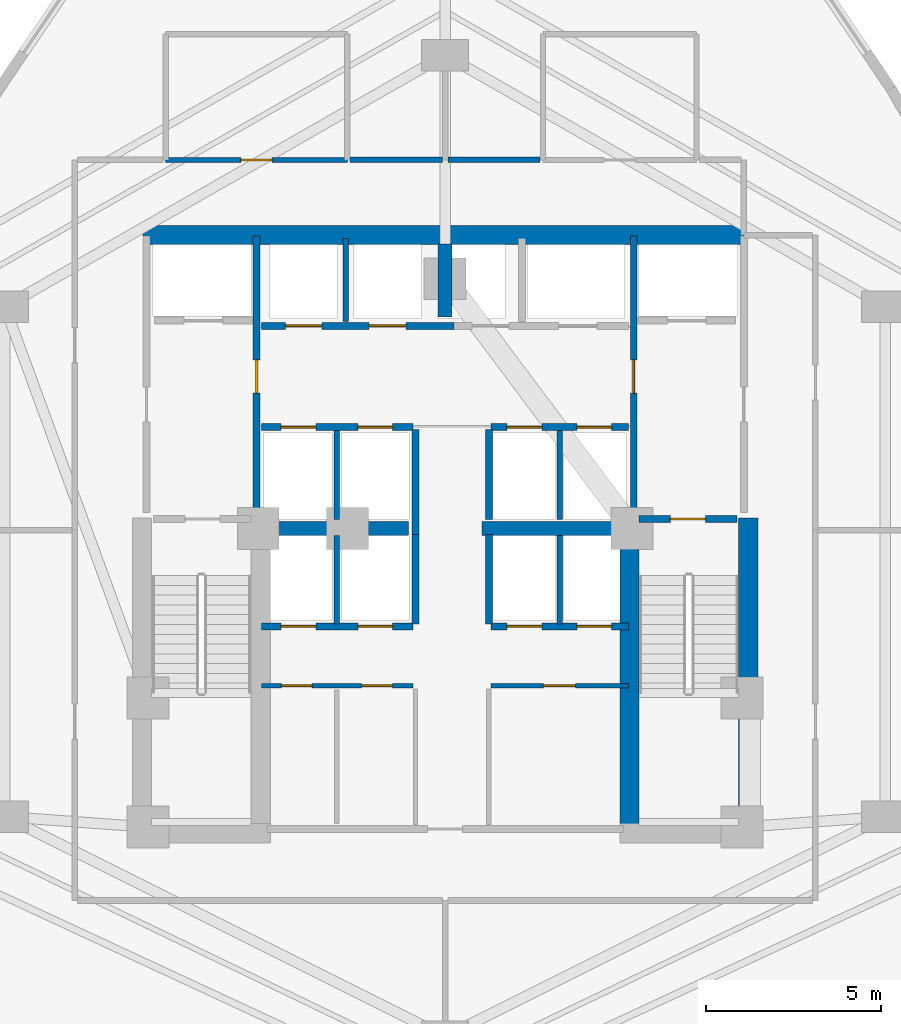
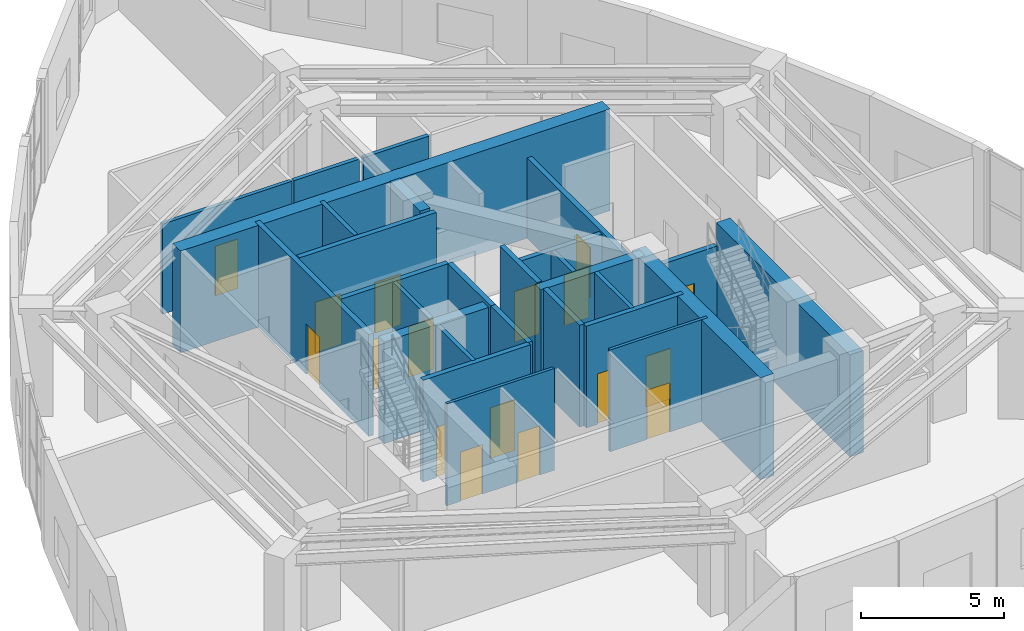
# One storey, part 14 of 17: 28 walls, 17 doors, 17 openings.
"""IFC4 building model written with IfcOpenShell, lengths in metres."""

from ifc_helpers import new_model, si_unit, direction, frame, frame_2d, origin, place, context, subcontext, project, spatial, rectangle, extrude, material, layer, layer_set, type_object, element, fill, save


model = new_model("IFC4")

# Units and contexts
model_context = context("Model", 3, precision=1e-05, world=origin(), true_north=direction((0.0, 1.0)))
body_context = subcontext(model_context, "Body", "Model", "MODEL_VIEW")
ifc_project = project(units=[si_unit("LENGTHUNIT", "METRE"), si_unit("AREAUNIT", "SQUARE_METRE"), si_unit("VOLUMEUNIT", "CUBIC_METRE"), si_unit("PLANEANGLEUNIT", "RADIAN"), si_unit("MASSUNIT", "GRAM", prefix="KILO")], contexts=[model_context])

# Site, building, storey
site_placement = place(None, origin())
site = spatial("IfcSite", under=ifc_project, at=site_placement, CompositionType="ELEMENT")
building_placement = place(site_placement, origin())
building = spatial("IfcBuilding", under=site, at=building_placement, Name="Miruveldt Soraemaru", CompositionType="ELEMENT")
storey_placement = place(building_placement, frame((0.0, 0.0, 95.800048828125)))
storey = spatial("IfcBuildingStorey", under=building, at=storey_placement, Name="L26", CompositionType="ELEMENT", Elevation=95.800048828125)

# Walls
ifc_material_1 = material(Name="Concrete C70/85 (70 MPa)", Category="concrete")
ifc_layer_1 = layer(ifc_material_1, 0.5, Name="Concrete C70/85 (70 MPa)", Category="concrete")
ifc_layer_set_1 = layer_set([ifc_layer_1], Name="Concrete C70/85 (70 MPa)")
wall_type_1 = type_object("IfcWallType", Name="WALL-BW-500", PredefinedType="SHEAR", material=ifc_layer_set_1)
wall_1_placement = place(storey_placement, frame((44.0, 50.10009765625, 0.0), z_axis=(0.0, 0.0, 1.0), x_axis=(0.0, 1.0, 0.0)))
element("IfcWall", 1, at=wall_1_placement, inside=storey, type_object=wall_type_1, Name="L26 Core Buttress Shear Wall BN", PredefinedType="SHEAR", context=body_context, shape_type="SweptSolid", body=[
    extrude(rectangle(XDim=2.099853515625, YDim=0.39990234375, at=frame_2d((1.0498046875, 0.0))), origin(), (0.0, 0.0, 1.0), 4.3349609375),
])
for number, where, z_axis, x_axis, name in (
    (2, (38.75, 44.050048828125, 0.0), (0.0, 0.0, 1.0), (1.0, 0.0, 0.0), "L26 Core Buttress Shear Wall BW"),
    (3, (45.050048828125, 44.050048828125, 0.0), (0.0, 0.0, 1.0), (1.0, 0.0, 0.0), "L26 Core Buttress Shear Wall BE"),
):
    element("IfcWall", number, at=place(storey_placement, frame(where, z_axis=z_axis, x_axis=x_axis)), inside=storey, type_object=wall_type_1, Name=name, PredefinedType="SHEAR", context=body_context, shape_type="SweptSolid", body=[
        extrude(rectangle(XDim=4.199951171875, YDim=0.39990234375, at=frame_2d((2.10009765625, 0.0))), origin(), (0.0, 0.0, 1.0), 4.3349609375),
    ])
ifc_layer_2 = layer(ifc_material_1, 0.550048828125, Name="Concrete C70/85 (70 MPa)", Category="concrete")
ifc_layer_set_2 = layer_set([ifc_layer_2], Name="Concrete C70/85 (70 MPa)")
wall_type_2 = type_object("IfcWallType", Name="WALL-CW-550", PredefinedType="SHEAR", material=ifc_layer_set_2)
wall_2_placement = place(storey_placement, frame((35.35009765625, 52.449951171875, 0.0), z_axis=(0.0, 0.0, 1.0), x_axis=(1.0, 0.0, 0.0)))
element("IfcWall", 4, at=wall_2_placement, inside=storey, type_object=wall_type_2, Name="L26 Central Core Shear Wall N", PredefinedType="SHEAR", context=body_context, shape_type="SweptSolid", body=[
    extrude(rectangle(XDim=17.2998046875, YDim=0.550048828125, at=frame_2d((8.64990234375, 0.0))), origin(), (0.0, 0.0, 1.0), 4.3349609375),
])
wall_3_placement = place(storey_placement, frame((52.675048828125, 35.050048828125, 0.0), z_axis=(0.0, 0.0, 1.0), x_axis=(0.0, 1.0, 0.0)))
element("IfcWall", 5, at=wall_3_placement, inside=storey, type_object=wall_type_2, Name="L26 Central Core Shear Wall E1", PredefinedType="SHEAR", context=body_context, shape_type="SweptSolid", body=[
    extrude(rectangle(XDim=9.300048828125, YDim=0.550048828125, at=frame_2d((4.64990234375, 0.0))), origin(), (0.0, 0.0, 1.0), 4.3349609375),
])
wall_4_placement = place(storey_placement, frame((49.27490234375, 35.39990234375, 0.0), z_axis=(0.0, 0.0, 1.0), x_axis=(0.0, 1.0, 0.0)))
element("IfcWall", 6, at=wall_4_placement, inside=storey, type_object=wall_type_2, Name="L26 Central Core Shear Wall SE-INT", PredefinedType="SHEAR", context=body_context, shape_type="SweptSolid", body=[
    extrude(rectangle(XDim=8.9501953125, YDim=0.550048828125, at=frame_2d((4.47509765625, 0.0))), origin(), (0.0, 0.0, 1.0), 4.3349609375),
])

# Wall, openings, doors
ifc_material_2 = material(Name="Gypsum plasterboard lining", Category="gypsum")
ifc_layer_3 = layer(ifc_material_2, 0.1201171875, Name="Gypsum plasterboard lining", Category="gypsum")
ifc_layer_set_3 = layer_set([ifc_layer_3], Name="Gypsum plasterboard lining")
wall_type_3 = type_object("IfcWallType", Name="WALL-INT-P120", PredefinedType="PARTITIONING", material=ifc_layer_set_3)
wall_5_placement = place(storey_placement, frame((38.75, 39.550048828125, 0.0), z_axis=(0.0, 0.0, 1.0), x_axis=(1.0, 0.0, 0.0)))
wall_5 = element("IfcWall", 7, at=wall_5_placement, inside=storey, type_object=wall_type_3, Name="L26 Core Compartment Wall CSW-N", PredefinedType="PARTITIONING", context=body_context, shape_type="SweptSolid", body=[
    extrude(rectangle(XDim=4.330078125, YDim=0.1201171875, at=frame_2d((2.1650390625, 0.0))), origin(), (0.0, 0.0, 1.0), 4.3349609375),
])
opening_1_placement = place(wall_5_placement, frame((0.56005859375, 0.0, 0.0)))
opening_1 = element("IfcOpeningElement", 8, at=opening_1_placement, cuts=wall_5, Name="Opening D4", PredefinedType="OPENING", context=body_context, shape_type="SweptSolid", body=[
    extrude(rectangle(XDim=0.8798828125, YDim=2.10009765625, at=frame_2d((0.43994140625, 1.050048828125))), frame((0.0, 0.070068359375, 0.0), z_axis=(0.0, -1.0, 0.0), x_axis=(1.0, 0.0, 0.0)), (0.0, 0.0, 1.0), 0.14013671875),
])
opening_2_placement = place(wall_5_placement, frame((2.860107421875, 0.0, 0.0)))
opening_2 = element("IfcOpeningElement", 9, at=opening_2_placement, cuts=wall_5, Name="Opening D4", PredefinedType="OPENING", context=body_context, shape_type="SweptSolid", body=[
    extrude(rectangle(XDim=0.8798828125, YDim=2.10009765625, at=frame_2d((0.43994140625, 1.050048828125))), frame((0.0, 0.070068359375, 0.0), z_axis=(0.0, -1.0, 0.0), x_axis=(1.0, 0.0, 0.0)), (0.0, 0.0, 1.0), 0.14013671875),
])
ifc_material_3 = material(Name="Anodised aluminium EN AW-6063 T6", Category="aluminium")
door_type_1 = type_object("IfcDoorType", Name="DOOR-INT-880", OperationType="NOTDEFINED", PredefinedType="DOOR", material=ifc_material_3)
door_1_placement = place(opening_1_placement, origin())
door_1 = element("IfcDoor", 10, at=door_1_placement, inside=storey, type_object=door_type_1, Name="L26 Fire Door", OperationType="SINGLE_SWING_LEFT", OverallHeight=2.10009765625, OverallWidth=0.8798828125, PredefinedType="DOOR", context=body_context, shape_type="SweptSolid", body=[
    extrude(rectangle(XDim=0.8798828125, YDim=2.10009765625, at=frame_2d((0.43994140625, 1.050048828125))), frame((0.0, 0.02490234375, 0.0), z_axis=(0.0, -1.0, 0.0), x_axis=(1.0, 0.0, 0.0)), (0.0, 0.0, 1.0), 0.050048828125),
])
fill(opening_1, door_1)
door_2_placement = place(opening_2_placement, origin())
door_2 = element("IfcDoor", 11, at=door_2_placement, inside=storey, type_object=door_type_1, Name="L26 Fire Door", OperationType="SINGLE_SWING_LEFT", OverallHeight=2.10009765625, OverallWidth=0.8798828125, PredefinedType="DOOR", context=body_context, shape_type="SweptSolid", body=[
    extrude(rectangle(XDim=0.8798828125, YDim=2.10009765625, at=frame_2d((0.43994140625, 1.050048828125))), frame((0.0, 0.02490234375, 0.0), z_axis=(0.0, -1.0, 0.0), x_axis=(1.0, 0.0, 0.0)), (0.0, 0.0, 1.0), 0.050048828125),
])
fill(opening_2, door_2)

# Wall, opening, door
wall_6_placement = place(storey_placement, frame((45.320068359375, 39.550048828125, 0.0), z_axis=(0.0, 0.0, 1.0), x_axis=(1.0, 0.0, 0.0)))
wall_6 = element("IfcWall", 12, at=wall_6_placement, inside=storey, type_object=wall_type_3, Name="L26 Core Compartment Wall CSE-N", PredefinedType="PARTITIONING", context=body_context, shape_type="SweptSolid", body=[
    extrude(rectangle(XDim=3.929931640625, YDim=0.1201171875, at=frame_2d((1.96484375, 0.0))), origin(), (0.0, 0.0, 1.0), 4.3349609375),
])
opening_3_placement = place(wall_6_placement, frame((1.489990234375, 0.0, 0.0)))
opening_3 = element("IfcOpeningElement", 13, at=opening_3_placement, cuts=wall_6, Name="Opening D3A", PredefinedType="OPENING", context=body_context, shape_type="SweptSolid", body=[
    extrude(rectangle(XDim=0.919921875, YDim=2.10009765625, at=frame_2d((0.4599609375, 1.050048828125))), frame((0.0, 0.070068359375, 0.0), z_axis=(0.0, -1.0, 0.0), x_axis=(1.0, 0.0, 0.0)), (0.0, 0.0, 1.0), 0.14013671875),
])
door_type_2 = type_object("IfcDoorType", Name="DOOR-INT-920", OperationType="NOTDEFINED", PredefinedType="DOOR", material=ifc_material_3)
door_3_placement = place(opening_3_placement, origin())
door_3 = element("IfcDoor", 14, at=door_3_placement, inside=storey, type_object=door_type_2, Name="L26 Fire Door", OperationType="SINGLE_SWING_LEFT", OverallHeight=2.10009765625, OverallWidth=0.919921875, PredefinedType="DOOR", context=body_context, shape_type="SweptSolid", body=[
    extrude(rectangle(XDim=0.919921875, YDim=2.10009765625, at=frame_2d((0.4599609375, 1.050048828125))), frame((0.0, 0.02490234375, 0.0), z_axis=(0.0, -1.0, 0.0), x_axis=(1.0, 0.0, 0.0)), (0.0, 0.0, 1.0), 0.050048828125),
])
fill(opening_3, door_3)

ifc_layer_4 = layer(ifc_material_2, 0.14990234375, Name="Gypsum plasterboard lining", Category="gypsum")
ifc_layer_set_4 = layer_set([ifc_layer_4], Name="Gypsum plasterboard lining")
wall_type_4 = type_object("IfcWallType", Name="WALL-INT-PLUMB", PredefinedType="PLUMBINGWALL", material=ifc_layer_set_4)
wall_7_placement = place(storey_placement, frame((41.199951171875, 54.60009765625, 0.0), z_axis=(0.0, 0.0, 1.0), x_axis=(-1.0, 0.0, 0.0)))
wall_7 = element("IfcWall", 15, at=wall_7_placement, inside=storey, type_object=wall_type_4, Name="L26 Partition Wall 1", PredefinedType="PLUMBINGWALL", context=body_context, shape_type="SweptSolid", body=[
    extrude(rectangle(XDim=5.199951171875, YDim=0.14990234375, at=frame_2d((2.60009765625, 0.0))), origin(), (0.0, 0.0, 1.0), 3.8349609375),
])
opening_4_placement = place(wall_7_placement, frame((2.14990234375, 0.0, 0.0)))
opening_4 = element("IfcOpeningElement", 16, at=opening_4_placement, cuts=wall_7, Name="Opening D3", PredefinedType="OPENING", context=body_context, shape_type="SweptSolid", body=[
    extrude(rectangle(XDim=0.89990234375, YDim=2.10009765625, at=frame_2d((0.449951171875, 1.050048828125))), frame((0.0, 0.0849609375, 0.0), z_axis=(0.0, -1.0, 0.0), x_axis=(1.0, 0.0, 0.0)), (0.0, 0.0, 1.0), 0.169921875),
])
door_type_3 = type_object("IfcDoorType", Name="DOOR-INT-900", OperationType="NOTDEFINED", PredefinedType="DOOR", material=ifc_material_3)
door_4_placement = place(opening_4_placement, origin())
door_4 = element("IfcDoor", 17, at=door_4_placement, inside=storey, type_object=door_type_3, Name="L26 Public Restroom Door", OperationType="SINGLE_SWING_RIGHT", OverallHeight=2.10009765625, OverallWidth=0.89990234375, PredefinedType="DOOR", context=body_context, shape_type="SweptSolid", body=[
    extrude(rectangle(XDim=0.89990234375, YDim=2.10009765625, at=frame_2d((0.449951171875, 1.050048828125))), frame((0.0, 0.02490234375, 0.0), z_axis=(0.0, -1.0, 0.0), x_axis=(1.0, 0.0, 0.0)), (0.0, 0.0, 1.0), 0.050048828125),
])
fill(opening_4, door_4)

# Walls
ifc_material_4 = material(Name="Concrete C40/50 (40 MPa)", Category="concrete")
ifc_layer_5 = layer(ifc_material_4, 0.159912109375, Name="Concrete C40/50 (40 MPa)", Category="concrete")
ifc_layer_set_5 = layer_set([ifc_layer_5], Name="Concrete C40/50 (40 MPa)")
wall_type_5 = type_object("IfcWallType", Name="WALL-INT-RC160", PredefinedType="SOLIDWALL", material=ifc_layer_set_5)
for number, where, z_axis, x_axis, name in (
    (18, (43.919921875, 54.60009765625, 0.0), (0.0, 0.0, 1.0), (-1.0, 0.0, 0.0), "L26 Partition Wall 7"),
    (19, (46.719970703125, 54.60009765625, 0.0), (0.0, 0.0, 1.0), (-1.0, 0.0, 0.0), "L26 Partition Wall 14"),
):
    element("IfcWall", number, at=place(storey_placement, frame(where, z_axis=z_axis, x_axis=x_axis)), inside=storey, type_object=wall_type_5, Name=name, PredefinedType="SOLIDWALL", context=body_context, shape_type="SweptSolid", body=[
        extrude(rectangle(XDim=2.639892578125, YDim=0.159912109375, at=frame_2d((1.31982421875, 0.0))), origin(), (0.0, 0.0, 1.0), 3.8349609375),
    ])
wall_8_placement = place(storey_placement, frame((40.89990234375, 44.300048828125, 0.0), z_axis=(0.0, 0.0, 1.0), x_axis=(0.0, 1.0, 0.0)))
element("IfcWall", 20, at=wall_8_placement, inside=storey, type_object=wall_type_5, Name="L26 Core Compartment Wall PLM-DW", PredefinedType="SOLIDWALL", context=body_context, shape_type="SweptSolid", body=[
    extrude(rectangle(XDim=2.550048828125, YDim=0.159912109375, at=frame_2d((1.27490234375, 0.0))), origin(), (0.0, 0.0, 1.0), 4.3349609375),
])
wall_9_placement = place(storey_placement, frame((47.280029296875, 44.300048828125, 0.0), z_axis=(0.0, 0.0, 1.0), x_axis=(0.0, 1.0, 0.0)))
element("IfcWall", 21, at=wall_9_placement, inside=storey, type_object=wall_type_5, Name="L26 Core Compartment Wall PLM-DE", PredefinedType="SOLIDWALL", context=body_context, shape_type="SweptSolid", body=[
    extrude(rectangle(XDim=2.550048828125, YDim=0.159912109375, at=frame_2d((1.27490234375, 0.0))), origin(), (0.0, 0.0, 1.0), 3.4228515625),
])
for number, where, z_axis, x_axis, name in (
    (22, (40.89990234375, 41.320068359375, 0.0), (0.0, 0.0, 1.0), (0.0, 1.0, 0.0), "L26 Core Compartment Wall PLL-DW"),
    (23, (47.280029296875, 41.320068359375, 0.0), (0.0, 0.0, 1.0), (0.0, 1.0, 0.0), "L26 Core Compartment Wall PLL-DE"),
):
    element("IfcWall", number, at=place(storey_placement, frame(where, z_axis=z_axis, x_axis=x_axis)), inside=storey, type_object=wall_type_5, Name=name, PredefinedType="SOLIDWALL", context=body_context, shape_type="SweptSolid", body=[
        extrude(rectangle(XDim=2.530029296875, YDim=0.159912109375, at=frame_2d((1.26513671875, 0.0))), origin(), (0.0, 0.0, 1.0), 4.3349609375),
    ])
wall_10_placement = place(storey_placement, frame((41.14990234375, 49.97998046875, 0.0), z_axis=(0.0, 0.0, 1.0), x_axis=(0.0, 1.0, 0.0)))
element("IfcWall", 24, at=wall_10_placement, inside=storey, type_object=wall_type_5, Name="L26 Core Compartment Wall PLH-DIV1", PredefinedType="SOLIDWALL", context=body_context, shape_type="SweptSolid", body=[
    extrude(rectangle(XDim=2.3701171875, YDim=0.159912109375, at=frame_2d((1.18505859375, 0.0))), origin(), (0.0, 0.0, 1.0), 4.3349609375),
])

# Wall, opening, door
ifc_layer_6 = layer(ifc_material_4, 0.199951171875, Name="Concrete C40/50 (40 MPa)", Category="concrete")
ifc_layer_set_6 = layer_set([ifc_layer_6], Name="Concrete C40/50 (40 MPa)")
wall_type_6 = type_object("IfcWallType", Name="WALL-INT-RC200", PredefinedType="SOLIDWALL", material=ifc_layer_set_6)
wall_11_placement = place(storey_placement, frame((38.60009765625, 44.5, 0.0), z_axis=(0.0, 0.0, 1.0), x_axis=(0.0, 1.0, 0.0)))
wall_11 = element("IfcWall", 25, at=wall_11_placement, inside=storey, type_object=wall_type_6, Name="L26 Core Compartment Wall FFW-IN", PredefinedType="SOLIDWALL", context=body_context, shape_type="SweptSolid", body=[
    extrude(rectangle(XDim=7.919921875, YDim=0.199951171875, at=frame_2d((3.9599609375, 0.0))), origin(), (0.0, 0.0, 1.0), 4.3349609375),
])
opening_5_placement = place(wall_11_placement, frame((3.425048828125, 0.0, 0.0)))
opening_5 = element("IfcOpeningElement", 26, at=opening_5_placement, cuts=wall_11, Name="Opening FD2", PredefinedType="OPENING", context=body_context, shape_type="SweptSolid", body=[
    extrude(rectangle(XDim=0.949951171875, YDim=2.14990234375, at=frame_2d((0.47509765625, 1.074951171875))), frame((0.0, 0.10986328125, 0.0), z_axis=(0.0, -1.0, 0.0), x_axis=(1.0, 0.0, 0.0)), (0.0, 0.0, 1.0), 0.219970703125),
])
door_type_4 = type_object("IfcDoorType", Name="DOOR-FD2-950", OperationType="NOTDEFINED", PredefinedType="DOOR", material=ifc_material_3)
door_5_placement = place(opening_5_placement, frame((0.949951171875, 0.0, 0.0), z_axis=(0.0, 0.0, 1.0), x_axis=(-1.0, 0.0, 0.0)))
door_5 = element("IfcDoor", 27, at=door_5_placement, inside=storey, type_object=door_type_4, Name="L26 Lift Lobby to West Fire Lobby Door", OperationType="SINGLE_SWING_RIGHT", OverallHeight=2.14990234375, OverallWidth=0.949951171875, PredefinedType="DOOR", context=body_context, shape_type="SweptSolid", body=[
    extrude(rectangle(XDim=0.949951171875, YDim=2.14990234375, at=frame_2d((0.47509765625, 1.074951171875))), frame((0.0, 0.02490234375, 0.0), z_axis=(0.0, -1.0, 0.0), x_axis=(1.0, 0.0, 0.0)), (0.0, 0.0, 1.0), 0.050048828125),
])
fill(opening_5, door_5)

wall_12_placement = place(storey_placement, frame((49.39990234375, 44.5, 0.0), z_axis=(0.0, 0.0, 1.0), x_axis=(0.0, 1.0, 0.0)))
wall_12 = element("IfcWall", 28, at=wall_12_placement, inside=storey, type_object=wall_type_6, Name="L26 Core Compartment Wall FFE-IN", PredefinedType="SOLIDWALL", context=body_context, shape_type="SweptSolid", body=[
    extrude(rectangle(XDim=7.919921875, YDim=0.199951171875, at=frame_2d((3.9599609375, 0.0))), origin(), (0.0, 0.0, 1.0), 3.4228515625),
])
opening_6_placement = place(wall_12_placement, frame((3.425048828125, 0.0, 0.0)))
opening_6 = element("IfcOpeningElement", 29, at=opening_6_placement, cuts=wall_12, Name="Opening FD2", PredefinedType="OPENING", context=body_context, shape_type="SweptSolid", body=[
    extrude(rectangle(XDim=0.949951171875, YDim=2.14990234375, at=frame_2d((0.47509765625, 1.074951171875))), frame((0.0, 0.10986328125, 0.0), z_axis=(0.0, -1.0, 0.0), x_axis=(1.0, 0.0, 0.0)), (0.0, 0.0, 1.0), 0.219970703125),
])
door_6_placement = place(opening_6_placement, origin())
door_6 = element("IfcDoor", 30, at=door_6_placement, inside=storey, type_object=door_type_4, Name="L26 Lift Lobby to East Fire Lobby Door", OperationType="SINGLE_SWING_LEFT", OverallHeight=2.14990234375, OverallWidth=0.949951171875, PredefinedType="DOOR", context=body_context, shape_type="SweptSolid", body=[
    extrude(rectangle(XDim=0.949951171875, YDim=2.14990234375, at=frame_2d((0.47509765625, 1.074951171875))), frame((0.0, 0.02490234375, 0.0), z_axis=(0.0, -1.0, 0.0), x_axis=(1.0, 0.0, 0.0)), (0.0, 0.0, 1.0), 0.050048828125),
])
fill(opening_6, door_6)

# Wall, openings, doors
wall_13_placement = place(storey_placement, frame((38.75, 49.85009765625, 0.0), z_axis=(0.0, 0.0, 1.0), x_axis=(1.0, 0.0, 0.0)))
wall_13 = element("IfcWall", 31, at=wall_13_placement, inside=storey, type_object=wall_type_6, Name="L26 Core Compartment Wall ROWA-SW", PredefinedType="SOLIDWALL", context=body_context, shape_type="SweptSolid", body=[
    extrude(rectangle(XDim=5.5, YDim=0.199951171875, at=frame_2d((2.75, 0.0))), origin(), (0.0, 0.0, 1.0), 4.3349609375),
])
opening_7_placement = place(wall_13_placement, frame((0.675048828125, 0.0, 0.0)))
opening_7 = element("IfcOpeningElement", 32, at=opening_7_placement, cuts=wall_13, Name="Opening LD1", PredefinedType="OPENING", context=body_context, shape_type="SweptSolid", body=[
    extrude(rectangle(XDim=1.050048828125, YDim=2.14990234375, at=frame_2d((0.52490234375, 1.074951171875))), frame((0.0, 0.10986328125, 0.0), z_axis=(0.0, -1.0, 0.0), x_axis=(1.0, 0.0, 0.0)), (0.0, 0.0, 1.0), 0.219970703125),
])
opening_8_placement = place(wall_13_placement, frame((3.074951171875, 0.0, 0.0)))
opening_8 = element("IfcOpeningElement", 33, at=opening_8_placement, cuts=wall_13, Name="Opening LD1", PredefinedType="OPENING", context=body_context, shape_type="SweptSolid", body=[
    extrude(rectangle(XDim=1.050048828125, YDim=2.14990234375, at=frame_2d((0.52490234375, 1.074951171875))), frame((0.0, 0.10986328125, 0.0), z_axis=(0.0, -1.0, 0.0), x_axis=(1.0, 0.0, 0.0)), (0.0, 0.0, 1.0), 0.219970703125),
])
door_type_5 = type_object("IfcDoorType", Name="DOOR-LD1-1050", OperationType="SLIDING_TO_LEFT", PredefinedType="DOOR", material=ifc_material_3)
door_7_placement = place(opening_7_placement, origin())
door_7 = element("IfcDoor", 34, at=door_7_placement, inside=storey, type_object=door_type_5, Name="L26 PL-H1 Landing Door", OperationType="SLIDING_TO_LEFT", OverallHeight=2.14990234375, OverallWidth=1.050048828125, PredefinedType="DOOR", context=body_context, shape_type="SweptSolid", body=[
    extrude(rectangle(XDim=1.050048828125, YDim=2.14990234375, at=frame_2d((0.52490234375, 1.074951171875))), frame((0.0, 0.02490234375, 0.0), z_axis=(0.0, -1.0, 0.0), x_axis=(1.0, 0.0, 0.0)), (0.0, 0.0, 1.0), 0.050048828125),
])
fill(opening_7, door_7)
door_8_placement = place(opening_8_placement, origin())
door_8 = element("IfcDoor", 35, at=door_8_placement, inside=storey, type_object=door_type_5, Name="L26 PL-H2 Landing Door", OperationType="SLIDING_TO_LEFT", OverallHeight=2.14990234375, OverallWidth=1.050048828125, PredefinedType="DOOR", context=body_context, shape_type="SweptSolid", body=[
    extrude(rectangle(XDim=1.050048828125, YDim=2.14990234375, at=frame_2d((0.52490234375, 1.074951171875))), frame((0.0, 0.02490234375, 0.0), z_axis=(0.0, -1.0, 0.0), x_axis=(1.0, 0.0, 0.0)), (0.0, 0.0, 1.0), 0.050048828125),
])
fill(opening_8, door_8)

wall_14_placement = place(storey_placement, frame((38.75, 46.949951171875, 0.0), z_axis=(0.0, 0.0, 1.0), x_axis=(1.0, 0.0, 0.0)))
wall_14 = element("IfcWall", 36, at=wall_14_placement, inside=storey, type_object=wall_type_6, Name="L26 Core Compartment Wall MBW-N", PredefinedType="SOLIDWALL", context=body_context, shape_type="SweptSolid", body=[
    extrude(rectangle(XDim=4.330078125, YDim=0.199951171875, at=frame_2d((2.1650390625, 0.0))), origin(), (0.0, 0.0, 1.0), 4.3349609375),
])
opening_9_placement = place(wall_14_placement, frame((0.550048828125, 0.0, 0.0)))
opening_9 = element("IfcOpeningElement", 37, at=opening_9_placement, cuts=wall_14, Name="Opening LD1B", PredefinedType="OPENING", context=body_context, shape_type="SweptSolid", body=[
    extrude(rectangle(XDim=1.0, YDim=2.14990234375, at=frame_2d((0.5, 1.074951171875))), frame((0.0, 0.10986328125, 0.0), z_axis=(0.0, -1.0, 0.0), x_axis=(1.0, 0.0, 0.0)), (0.0, 0.0, 1.0), 0.219970703125),
])
opening_10_placement = place(wall_14_placement, frame((2.75, 0.0, 0.0)))
opening_10 = element("IfcOpeningElement", 38, at=opening_10_placement, cuts=wall_14, Name="Opening LD1B", PredefinedType="OPENING", context=body_context, shape_type="SweptSolid", body=[
    extrude(rectangle(XDim=1.0, YDim=2.14990234375, at=frame_2d((0.5, 1.074951171875))), frame((0.0, 0.10986328125, 0.0), z_axis=(0.0, -1.0, 0.0), x_axis=(1.0, 0.0, 0.0)), (0.0, 0.0, 1.0), 0.219970703125),
])
door_type_6 = type_object("IfcDoorType", Name="DOOR-LD1-1000", OperationType="SLIDING_TO_LEFT", PredefinedType="DOOR", material=ifc_material_3)
door_9_placement = place(opening_9_placement, origin())
door_9 = element("IfcDoor", 39, at=door_9_placement, inside=storey, type_object=door_type_6, Name="L26 PL-M1 Landing Door", OperationType="SLIDING_TO_LEFT", OverallHeight=2.14990234375, OverallWidth=1.0, PredefinedType="DOOR", context=body_context, shape_type="SweptSolid", body=[
    extrude(rectangle(XDim=1.0, YDim=2.14990234375, at=frame_2d((0.5, 1.074951171875))), frame((0.0, 0.02490234375, 0.0), z_axis=(0.0, -1.0, 0.0), x_axis=(1.0, 0.0, 0.0)), (0.0, 0.0, 1.0), 0.050048828125),
])
fill(opening_9, door_9)
door_10_placement = place(opening_10_placement, origin())
door_10 = element("IfcDoor", 40, at=door_10_placement, inside=storey, type_object=door_type_6, Name="L26 PL-M2 Landing Door", OperationType="SLIDING_TO_LEFT", OverallHeight=2.14990234375, OverallWidth=1.0, PredefinedType="DOOR", context=body_context, shape_type="SweptSolid", body=[
    extrude(rectangle(XDim=1.0, YDim=2.14990234375, at=frame_2d((0.5, 1.074951171875))), frame((0.0, 0.02490234375, 0.0), z_axis=(0.0, -1.0, 0.0), x_axis=(1.0, 0.0, 0.0)), (0.0, 0.0, 1.0), 0.050048828125),
])
fill(opening_10, door_10)

wall_15_placement = place(storey_placement, frame((38.75, 41.25, 0.0), z_axis=(0.0, 0.0, 1.0), x_axis=(1.0, 0.0, 0.0)))
wall_15 = element("IfcWall", 41, at=wall_15_placement, inside=storey, type_object=wall_type_6, Name="L26 Core Compartment Wall LBW-S", PredefinedType="SOLIDWALL", context=body_context, shape_type="SweptSolid", body=[
    extrude(rectangle(XDim=4.330078125, YDim=0.199951171875, at=frame_2d((2.1650390625, 0.0))), origin(), (0.0, 0.0, 1.0), 4.3349609375),
])
opening_11_placement = place(wall_15_placement, frame((0.550048828125, 0.0, 0.0)))
opening_11 = element("IfcOpeningElement", 42, at=opening_11_placement, cuts=wall_15, Name="Opening LD1B", PredefinedType="OPENING", context=body_context, shape_type="SweptSolid", body=[
    extrude(rectangle(XDim=1.0, YDim=2.14990234375, at=frame_2d((0.5, 1.074951171875))), frame((0.0, 0.10986328125, 0.0), z_axis=(0.0, -1.0, 0.0), x_axis=(1.0, 0.0, 0.0)), (0.0, 0.0, 1.0), 0.219970703125),
])
opening_12_placement = place(wall_15_placement, frame((2.75, 0.0, 0.0)))
opening_12 = element("IfcOpeningElement", 43, at=opening_12_placement, cuts=wall_15, Name="Opening LD1B", PredefinedType="OPENING", context=body_context, shape_type="SweptSolid", body=[
    extrude(rectangle(XDim=1.0, YDim=2.14990234375, at=frame_2d((0.5, 1.074951171875))), frame((0.0, 0.10986328125, 0.0), z_axis=(0.0, -1.0, 0.0), x_axis=(1.0, 0.0, 0.0)), (0.0, 0.0, 1.0), 0.219970703125),
])
door_11_placement = place(opening_11_placement, frame((1.0, 0.0, 0.0), z_axis=(0.0, 0.0, 1.0), x_axis=(-1.0, 0.0, 0.0)))
door_11 = element("IfcDoor", 44, at=door_11_placement, inside=storey, type_object=door_type_6, Name="L26 PL-L1 Landing Door", OperationType="SLIDING_TO_LEFT", OverallHeight=2.14990234375, OverallWidth=1.0, PredefinedType="DOOR", context=body_context, shape_type="SweptSolid", body=[
    extrude(rectangle(XDim=1.0, YDim=2.14990234375, at=frame_2d((0.5, 1.074951171875))), frame((0.0, 0.02490234375, 0.0), z_axis=(0.0, -1.0, 0.0), x_axis=(1.0, 0.0, 0.0)), (0.0, 0.0, 1.0), 0.050048828125),
])
fill(opening_11, door_11)
door_12_placement = place(opening_12_placement, frame((1.0, 0.0, 0.0), z_axis=(0.0, 0.0, 1.0), x_axis=(-1.0, 0.0, 0.0)))
door_12 = element("IfcDoor", 45, at=door_12_placement, inside=storey, type_object=door_type_6, Name="L26 PL-L2 Landing Door", OperationType="SLIDING_TO_LEFT", OverallHeight=2.14990234375, OverallWidth=1.0, PredefinedType="DOOR", context=body_context, shape_type="SweptSolid", body=[
    extrude(rectangle(XDim=1.0, YDim=2.14990234375, at=frame_2d((0.5, 1.074951171875))), frame((0.0, 0.02490234375, 0.0), z_axis=(0.0, -1.0, 0.0), x_axis=(1.0, 0.0, 0.0)), (0.0, 0.0, 1.0), 0.050048828125),
])
fill(opening_12, door_12)

wall_16_placement = place(storey_placement, frame((45.320068359375, 46.949951171875, 0.0), z_axis=(0.0, 0.0, 1.0), x_axis=(1.0, 0.0, 0.0)))
wall_16 = element("IfcWall", 46, at=wall_16_placement, inside=storey, type_object=wall_type_6, Name="L26 Core Compartment Wall MBE-N", PredefinedType="SOLIDWALL", context=body_context, shape_type="SweptSolid", body=[
    extrude(rectangle(XDim=3.929931640625, YDim=0.199951171875, at=frame_2d((1.96484375, 0.0))), origin(), (0.0, 0.0, 1.0), 3.4228515625),
])
opening_13_placement = place(wall_16_placement, frame((0.449951171875, 0.0, 0.0)))
opening_13 = element("IfcOpeningElement", 47, at=opening_13_placement, cuts=wall_16, Name="Opening LD1B", PredefinedType="OPENING", context=body_context, shape_type="SweptSolid", body=[
    extrude(rectangle(XDim=1.0, YDim=2.14990234375, at=frame_2d((0.5, 1.074951171875))), frame((0.0, 0.10986328125, 0.0), z_axis=(0.0, -1.0, 0.0), x_axis=(1.0, 0.0, 0.0)), (0.0, 0.0, 1.0), 0.219970703125),
])
opening_14_placement = place(wall_16_placement, frame((2.449951171875, 0.0, 0.0)))
opening_14 = element("IfcOpeningElement", 48, at=opening_14_placement, cuts=wall_16, Name="Opening LD1B", PredefinedType="OPENING", context=body_context, shape_type="SweptSolid", body=[
    extrude(rectangle(XDim=1.0, YDim=2.14990234375, at=frame_2d((0.5, 1.074951171875))), frame((0.0, 0.10986328125, 0.0), z_axis=(0.0, -1.0, 0.0), x_axis=(1.0, 0.0, 0.0)), (0.0, 0.0, 1.0), 0.219970703125),
])
door_13_placement = place(opening_13_placement, origin())
door_13 = element("IfcDoor", 49, at=door_13_placement, inside=storey, type_object=door_type_6, Name="L26 PL-M3 Landing Door", OperationType="SLIDING_TO_LEFT", OverallHeight=2.14990234375, OverallWidth=1.0, PredefinedType="DOOR", context=body_context, shape_type="SweptSolid", body=[
    extrude(rectangle(XDim=1.0, YDim=2.14990234375, at=frame_2d((0.5, 1.074951171875))), frame((0.0, 0.02490234375, 0.0), z_axis=(0.0, -1.0, 0.0), x_axis=(1.0, 0.0, 0.0)), (0.0, 0.0, 1.0), 0.050048828125),
])
fill(opening_13, door_13)
door_14_placement = place(opening_14_placement, origin())
door_14 = element("IfcDoor", 50, at=door_14_placement, inside=storey, type_object=door_type_6, Name="L26 PL-M4 Landing Door", OperationType="SLIDING_TO_LEFT", OverallHeight=2.14990234375, OverallWidth=1.0, PredefinedType="DOOR", context=body_context, shape_type="SweptSolid", body=[
    extrude(rectangle(XDim=1.0, YDim=2.14990234375, at=frame_2d((0.5, 1.074951171875))), frame((0.0, 0.02490234375, 0.0), z_axis=(0.0, -1.0, 0.0), x_axis=(1.0, 0.0, 0.0)), (0.0, 0.0, 1.0), 0.050048828125),
])
fill(opening_14, door_14)

wall_17_placement = place(storey_placement, frame((45.320068359375, 41.25, 0.0), z_axis=(0.0, 0.0, 1.0), x_axis=(1.0, 0.0, 0.0)))
wall_17 = element("IfcWall", 51, at=wall_17_placement, inside=storey, type_object=wall_type_6, Name="L26 Core Compartment Wall LBE-S", PredefinedType="SOLIDWALL", context=body_context, shape_type="SweptSolid", body=[
    extrude(rectangle(XDim=3.929931640625, YDim=0.199951171875, at=frame_2d((1.96484375, 0.0))), origin(), (0.0, 0.0, 1.0), 4.3349609375),
])
opening_15_placement = place(wall_17_placement, frame((0.449951171875, 0.0, 0.0)))
opening_15 = element("IfcOpeningElement", 52, at=opening_15_placement, cuts=wall_17, Name="Opening LD1B", PredefinedType="OPENING", context=body_context, shape_type="SweptSolid", body=[
    extrude(rectangle(XDim=1.0, YDim=2.14990234375, at=frame_2d((0.5, 1.074951171875))), frame((0.0, 0.10986328125, 0.0), z_axis=(0.0, -1.0, 0.0), x_axis=(1.0, 0.0, 0.0)), (0.0, 0.0, 1.0), 0.219970703125),
])
opening_16_placement = place(wall_17_placement, frame((2.449951171875, 0.0, 0.0)))
opening_16 = element("IfcOpeningElement", 53, at=opening_16_placement, cuts=wall_17, Name="Opening LD1B", PredefinedType="OPENING", context=body_context, shape_type="SweptSolid", body=[
    extrude(rectangle(XDim=1.0, YDim=2.14990234375, at=frame_2d((0.5, 1.074951171875))), frame((0.0, 0.10986328125, 0.0), z_axis=(0.0, -1.0, 0.0), x_axis=(1.0, 0.0, 0.0)), (0.0, 0.0, 1.0), 0.219970703125),
])
door_15_placement = place(opening_15_placement, frame((1.0, 0.0, 0.0), z_axis=(0.0, 0.0, 1.0), x_axis=(-1.0, 0.0, 0.0)))
door_15 = element("IfcDoor", 54, at=door_15_placement, inside=storey, type_object=door_type_6, Name="L26 PL-L3 Landing Door", OperationType="SLIDING_TO_LEFT", OverallHeight=2.14990234375, OverallWidth=1.0, PredefinedType="DOOR", context=body_context, shape_type="SweptSolid", body=[
    extrude(rectangle(XDim=1.0, YDim=2.14990234375, at=frame_2d((0.5, 1.074951171875))), frame((0.0, 0.02490234375, 0.0), z_axis=(0.0, -1.0, 0.0), x_axis=(1.0, 0.0, 0.0)), (0.0, 0.0, 1.0), 0.050048828125),
])
fill(opening_15, door_15)
door_16_placement = place(opening_16_placement, frame((1.0, 0.0, 0.0), z_axis=(0.0, 0.0, 1.0), x_axis=(-1.0, 0.0, 0.0)))
door_16 = element("IfcDoor", 55, at=door_16_placement, inside=storey, type_object=door_type_6, Name="L26 PL-L4 Landing Door", OperationType="SLIDING_TO_LEFT", OverallHeight=2.14990234375, OverallWidth=1.0, PredefinedType="DOOR", context=body_context, shape_type="SweptSolid", body=[
    extrude(rectangle(XDim=1.0, YDim=2.14990234375, at=frame_2d((0.5, 1.074951171875))), frame((0.0, 0.02490234375, 0.0), z_axis=(0.0, -1.0, 0.0), x_axis=(1.0, 0.0, 0.0)), (0.0, 0.0, 1.0), 0.050048828125),
])
fill(opening_16, door_16)

# Wall, opening, door
wall_18_placement = place(storey_placement, frame((49.550048828125, 44.320068359375, 0.0), z_axis=(0.0, 0.0, 1.0), x_axis=(1.0, 0.0, 0.0)))
wall_18 = element("IfcWall", 56, at=wall_18_placement, inside=storey, type_object=wall_type_6, Name="L26 Core Compartment Wall ST2-N", PredefinedType="SOLIDWALL", context=body_context, shape_type="SweptSolid", body=[
    extrude(rectangle(XDim=2.800048828125, YDim=0.199951171875, at=frame_2d((1.39990234375, 0.0))), origin(), (0.0, 0.0, 1.0), 3.4228515625),
])
opening_17_placement = place(wall_18_placement, frame((0.89990234375, 0.0, 0.0)))
opening_17 = element("IfcOpeningElement", 57, at=opening_17_placement, cuts=wall_18, Name="Opening FD1", PredefinedType="OPENING", context=body_context, shape_type="SweptSolid", body=[
    extrude(rectangle(XDim=1.0, YDim=2.14990234375, at=frame_2d((0.5, 1.074951171875))), frame((0.0, 0.10986328125, 0.0), z_axis=(0.0, -1.0, 0.0), x_axis=(1.0, 0.0, 0.0)), (0.0, 0.0, 1.0), 0.219970703125),
])
door_type_7 = type_object("IfcDoorType", Name="DOOR-FD1-1000", OperationType="NOTDEFINED", PredefinedType="DOOR", material=ifc_material_3)
door_17_placement = place(opening_17_placement, frame((1.0, 0.0, 0.0), z_axis=(0.0, 0.0, 1.0), x_axis=(-1.0, 0.0, 0.0)))
door_17 = element("IfcDoor", 58, at=door_17_placement, inside=storey, type_object=door_type_7, Name="L26 Stair ST-2 Fire Door", OperationType="SINGLE_SWING_RIGHT", OverallHeight=2.14990234375, OverallWidth=1.0, PredefinedType="DOOR", context=body_context, shape_type="SweptSolid", body=[
    extrude(rectangle(XDim=1.0, YDim=2.14990234375, at=frame_2d((0.5, 1.074951171875))), frame((0.0, 0.02490234375, 0.0), z_axis=(0.0, -1.0, 0.0), x_axis=(1.0, 0.0, 0.0)), (0.0, 0.0, 1.0), 0.050048828125),
])
fill(opening_17, door_17)

# Walls
wall_19_placement = place(storey_placement, frame((43.14990234375, 43.8798828125, 0.0), z_axis=(0.0, 0.0, 1.0), x_axis=(0.0, 1.0, 0.0)))
element("IfcWall", 59, at=wall_19_placement, inside=storey, type_object=wall_type_6, Name="L26 Core Compartment Wall SP-WB", PredefinedType="SOLIDWALL", context=body_context, shape_type="SweptSolid", body=[
    extrude(rectangle(XDim=3.0, YDim=0.199951171875, at=frame_2d((1.5, 0.0))), origin(), (0.0, 0.0, 1.0), 4.3349609375),
])
wall_20_placement = place(storey_placement, frame((45.25, 44.300048828125, 0.0), z_axis=(0.0, 0.0, 1.0), x_axis=(0.0, 1.0, 0.0)))
element("IfcWall", 60, at=wall_20_placement, inside=storey, type_object=wall_type_6, Name="L26 Core Compartment Wall SP-EB", PredefinedType="SOLIDWALL", context=body_context, shape_type="SweptSolid", body=[
    extrude(rectangle(XDim=2.579833984375, YDim=0.199951171875, at=frame_2d((1.2900390625, 0.0))), origin(), (0.0, 0.0, 1.0), 4.3349609375),
])
for number, where, z_axis, x_axis, name in (
    (61, (43.14990234375, 41.320068359375, 0.0), (0.0, 0.0, 1.0), (0.0, 1.0, 0.0), "L26 Core Compartment Wall SP-WC"),
    (62, (45.25, 41.320068359375, 0.0), (0.0, 0.0, 1.0), (0.0, 1.0, 0.0), "L26 Core Compartment Wall SP-EC"),
):
    element("IfcWall", number, at=place(storey_placement, frame(where, z_axis=z_axis, x_axis=x_axis)), inside=storey, type_object=wall_type_6, Name=name, PredefinedType="SOLIDWALL", context=body_context, shape_type="SweptSolid", body=[
        extrude(rectangle(XDim=2.559814453125, YDim=0.199951171875, at=frame_2d((1.27978515625, 0.0))), origin(), (0.0, 0.0, 1.0), 4.3349609375),
    ])

save(model, "model.ifc")
